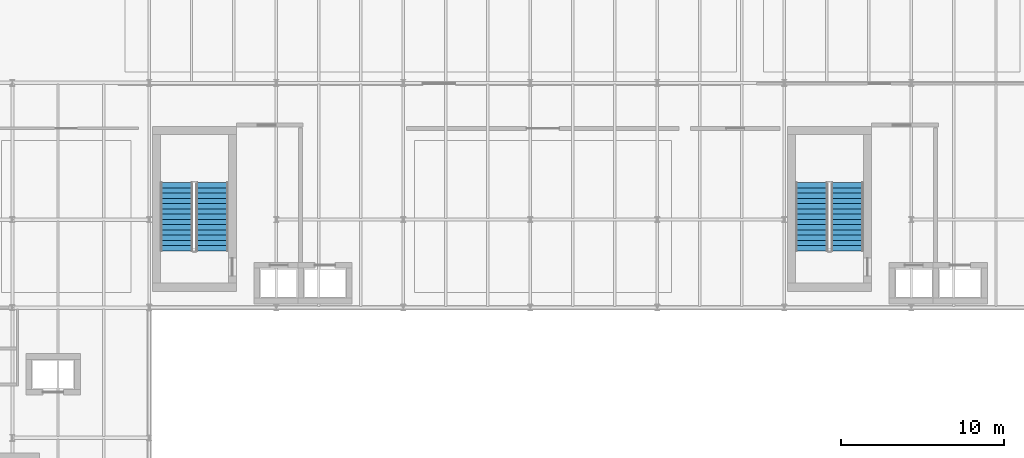
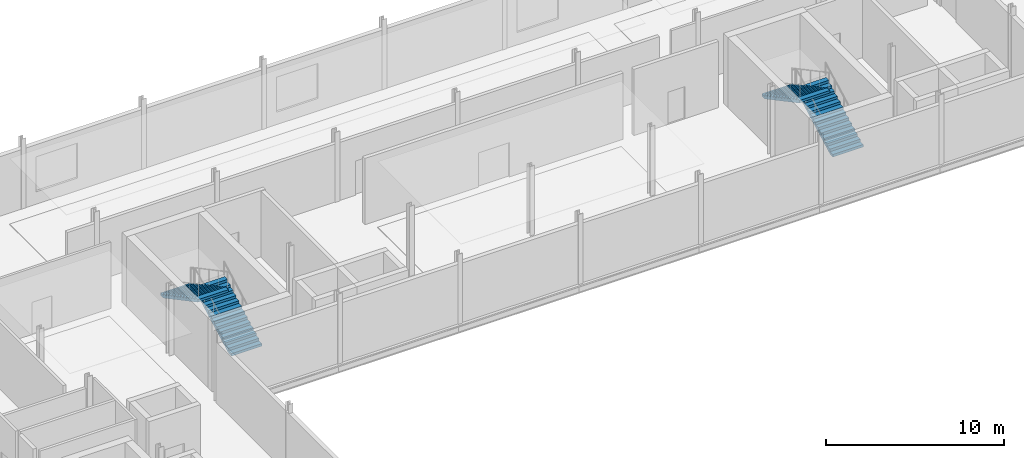
# One storey, part 12 of 15: 4 stair flights, 2 elements without a shape of their own.
"""IFC4 building model written with IfcOpenShell, lengths in metres."""

from ifc_helpers import new_model, si_unit, direction, frame, origin, place, context, subcontext, project, spatial, polyline, outline, extrude, material, type_object, element, aggregate, save


model = new_model("IFC4")

# Units and contexts
model_context = context("Model", 3, precision=1e-05, world=origin(), true_north=direction((0.0, 1.0)))
body_context = subcontext(model_context, "Body", "Model", "MODEL_VIEW")
ifc_project = project(units=[si_unit("LENGTHUNIT", "METRE"), si_unit("AREAUNIT", "SQUARE_METRE"), si_unit("VOLUMEUNIT", "CUBIC_METRE"), si_unit("PLANEANGLEUNIT", "RADIAN"), si_unit("MASSUNIT", "GRAM", prefix="KILO")], contexts=[model_context])

# Site, building, storey
site_placement = place(None, origin())
site = spatial("IfcSite", under=ifc_project, at=site_placement, CompositionType="ELEMENT")
building_placement = place(site_placement, origin())
building = spatial("IfcBuilding", under=site, at=building_placement, Name="Sefraquen Railside Congress Hotel", CompositionType="ELEMENT")
storey_placement = place(building_placement, frame((0.0, 0.0, 46.800048828125)))
storey = spatial("IfcBuildingStorey", under=building, at=storey_placement, Name="L11", CompositionType="ELEMENT", Elevation=46.800048828125)

# Stair, stair flights
ifc_material = material(Name="Concrete C40/50", Category="concrete")
stair_type_1 = type_object("IfcStairType", Name="TST-DOG-198-420", PredefinedType="HALF_TURN_STAIR", material=ifc_material)
stair_1_placement = place(storey_placement, origin())
stair_1 = element("IfcStair", 1, at=stair_1_placement, inside=storey, type_object=stair_type_1, Name="L11 Pressurized escape stair ST-H02", PredefinedType="HALF_TURN_STAIR")
stair_flight_type_1 = type_object("IfcStairFlightType", Name="TSF-FLT-198-420", PredefinedType="STRAIGHT", material=ifc_material)
stair_flight_1_placement = place(storey_placement, frame((29.070068359375, 99.47998046875, 0.0), z_axis=(0.0, 0.0, 1.0), x_axis=(0.0, 1.0, 0.0)))
stair_flight_1 = element("IfcStairFlight", 2, at=stair_flight_1_placement, type_object=stair_flight_type_1, Name="ST-H02 flight 1", NumberOfRisers=14, NumberOfTreads=13, PredefinedType="STRAIGHT", RiserHeight=0.171428571, TreadLength=0.322, context=body_context, shape_type="SweptSolid", body=[
    extrude(outline(polyline([(0.0, 0.0), (0.0, 0.17138671875), (0.322021484375, 0.17138671875), (0.322021484375, 0.3427734375), (0.64404296875, 0.3427734375), (0.64404296875, 0.514404296875), (0.966064453125, 0.514404296875), (0.966064453125, 0.685791015625), (1.2880859375, 0.685791015625), (1.2880859375, 0.857177734375), (1.610107421875, 0.857177734375), (1.610107421875, 1.028564453125), (1.931884765625, 1.028564453125), (1.931884765625, 1.199951171875), (2.25390625, 1.199951171875), (2.25390625, 1.371337890625), (2.575927734375, 1.371337890625), (2.575927734375, 1.54296875), (2.89794921875, 1.54296875), (2.89794921875, 1.71435546875), (3.219970703125, 1.71435546875), (3.219970703125, 1.8857421875), (3.5419921875, 1.8857421875), (3.5419921875, 2.05712890625), (3.864013671875, 2.05712890625), (3.864013671875, 2.228515625), (4.18603515625, 2.228515625), (4.18603515625, 2.39990234375), (4.18603515625, 2.058837890625), (0.319091796875, 0.0), (0.0, 0.0)])), frame((0.0, 0.989990234375, 0.0), z_axis=(0.0, -1.0, 0.0), x_axis=(1.0, 0.0, 0.0)), (0.0, 0.0, 1.0), 1.97998046875),
])
stair_flight_2_placement = place(storey_placement, frame((26.889892578125, 103.666015625, 2.39990234375), z_axis=(0.0, 0.0, 1.0), x_axis=(0.0, -1.0, 0.0)))
stair_flight_2 = element("IfcStairFlight", 3, at=stair_flight_2_placement, type_object=stair_flight_type_1, Name="ST-H02 flight 2", NumberOfRisers=14, NumberOfTreads=13, PredefinedType="STRAIGHT", RiserHeight=0.171428571, TreadLength=0.322, context=body_context, shape_type="SweptSolid", body=[
    extrude(outline(polyline([(0.0, 0.0), (0.0, 0.17138671875), (0.322021484375, 0.17138671875), (0.322021484375, 0.3427734375), (0.64404296875, 0.3427734375), (0.64404296875, 0.514404296875), (0.966064453125, 0.514404296875), (0.966064453125, 0.685791015625), (1.2880859375, 0.685791015625), (1.2880859375, 0.857177734375), (1.610107421875, 0.857177734375), (1.610107421875, 1.028564453125), (1.931884765625, 1.028564453125), (1.931884765625, 1.199951171875), (2.25390625, 1.199951171875), (2.25390625, 1.371337890625), (2.575927734375, 1.371337890625), (2.575927734375, 1.54296875), (2.89794921875, 1.54296875), (2.89794921875, 1.71435546875), (3.219970703125, 1.71435546875), (3.219970703125, 1.8857421875), (3.5419921875, 1.8857421875), (3.5419921875, 2.05712890625), (3.864013671875, 2.05712890625), (3.864013671875, 2.228515625), (4.18603515625, 2.228515625), (4.18603515625, 2.39990234375), (4.18603515625, 2.058837890625), (0.319091796875, 0.0), (0.0, 0.0)])), frame((0.0, 0.989990234375, 0.0), z_axis=(0.0, -1.0, 0.0), x_axis=(1.0, 0.0, 0.0)), (0.0, 0.0, 1.0), 1.97998046875),
])
aggregate(stair_1, [stair_flight_1, stair_flight_2])

stair_type_2 = type_object("IfcStairType", Name="TST-DOG-198-450", PredefinedType="HALF_TURN_STAIR", material=ifc_material)
stair_2_placement = place(storey_placement, origin())
stair_2 = element("IfcStair", 4, at=stair_2_placement, inside=storey, type_object=stair_type_2, Name="L11 Pressurized escape stair ST-H03", PredefinedType="HALF_TURN_STAIR")
stair_flight_type_2 = type_object("IfcStairFlightType", Name="TSF-FLT-198-450", PredefinedType="STRAIGHT", material=ifc_material)
stair_flight_3_placement = place(storey_placement, frame((68.070068359375, 99.47998046875, 0.0), z_axis=(0.0, 0.0, 1.0), x_axis=(0.0, 1.0, 0.0)))
stair_flight_3 = element("IfcStairFlight", 5, at=stair_flight_3_placement, type_object=stair_flight_type_2, Name="ST-H03 flight 1", NumberOfRisers=14, NumberOfTreads=13, PredefinedType="STRAIGHT", RiserHeight=0.171428571, TreadLength=0.322, context=body_context, shape_type="SweptSolid", body=[
    extrude(outline(polyline([(0.0, 0.0), (0.0, 0.17138671875), (0.322021484375, 0.17138671875), (0.322021484375, 0.3427734375), (0.64404296875, 0.3427734375), (0.64404296875, 0.514404296875), (0.966064453125, 0.514404296875), (0.966064453125, 0.685791015625), (1.2880859375, 0.685791015625), (1.2880859375, 0.857177734375), (1.610107421875, 0.857177734375), (1.610107421875, 1.028564453125), (1.931884765625, 1.028564453125), (1.931884765625, 1.199951171875), (2.25390625, 1.199951171875), (2.25390625, 1.371337890625), (2.575927734375, 1.371337890625), (2.575927734375, 1.54296875), (2.89794921875, 1.54296875), (2.89794921875, 1.71435546875), (3.219970703125, 1.71435546875), (3.219970703125, 1.8857421875), (3.5419921875, 1.8857421875), (3.5419921875, 2.05712890625), (3.864013671875, 2.05712890625), (3.864013671875, 2.228515625), (4.18603515625, 2.228515625), (4.18603515625, 2.39990234375), (4.18603515625, 2.058837890625), (0.319091796875, 0.0), (0.0, 0.0)])), frame((0.0, 0.989990234375, 0.0), z_axis=(0.0, -1.0, 0.0), x_axis=(1.0, 0.0, 0.0)), (0.0, 0.0, 1.0), 1.97998046875),
])
stair_flight_4_placement = place(storey_placement, frame((65.889892578125, 103.666015625, 2.39990234375), z_axis=(0.0, 0.0, 1.0), x_axis=(0.0, -1.0, 0.0)))
stair_flight_4 = element("IfcStairFlight", 6, at=stair_flight_4_placement, type_object=stair_flight_type_2, Name="ST-H03 flight 2", NumberOfRisers=14, NumberOfTreads=13, PredefinedType="STRAIGHT", RiserHeight=0.171428571, TreadLength=0.322, context=body_context, shape_type="SweptSolid", body=[
    extrude(outline(polyline([(0.0, 0.0), (0.0, 0.17138671875), (0.322021484375, 0.17138671875), (0.322021484375, 0.3427734375), (0.64404296875, 0.3427734375), (0.64404296875, 0.514404296875), (0.966064453125, 0.514404296875), (0.966064453125, 0.685791015625), (1.2880859375, 0.685791015625), (1.2880859375, 0.857177734375), (1.610107421875, 0.857177734375), (1.610107421875, 1.028564453125), (1.931884765625, 1.028564453125), (1.931884765625, 1.199951171875), (2.25390625, 1.199951171875), (2.25390625, 1.371337890625), (2.575927734375, 1.371337890625), (2.575927734375, 1.54296875), (2.89794921875, 1.54296875), (2.89794921875, 1.71435546875), (3.219970703125, 1.71435546875), (3.219970703125, 1.8857421875), (3.5419921875, 1.8857421875), (3.5419921875, 2.05712890625), (3.864013671875, 2.05712890625), (3.864013671875, 2.228515625), (4.18603515625, 2.228515625), (4.18603515625, 2.39990234375), (4.18603515625, 2.058837890625), (0.319091796875, 0.0), (0.0, 0.0)])), frame((0.0, 0.989990234375, 0.0), z_axis=(0.0, -1.0, 0.0), x_axis=(1.0, 0.0, 0.0)), (0.0, 0.0, 1.0), 1.97998046875),
])
aggregate(stair_2, [stair_flight_3, stair_flight_4])

save(model, "model.ifc")
